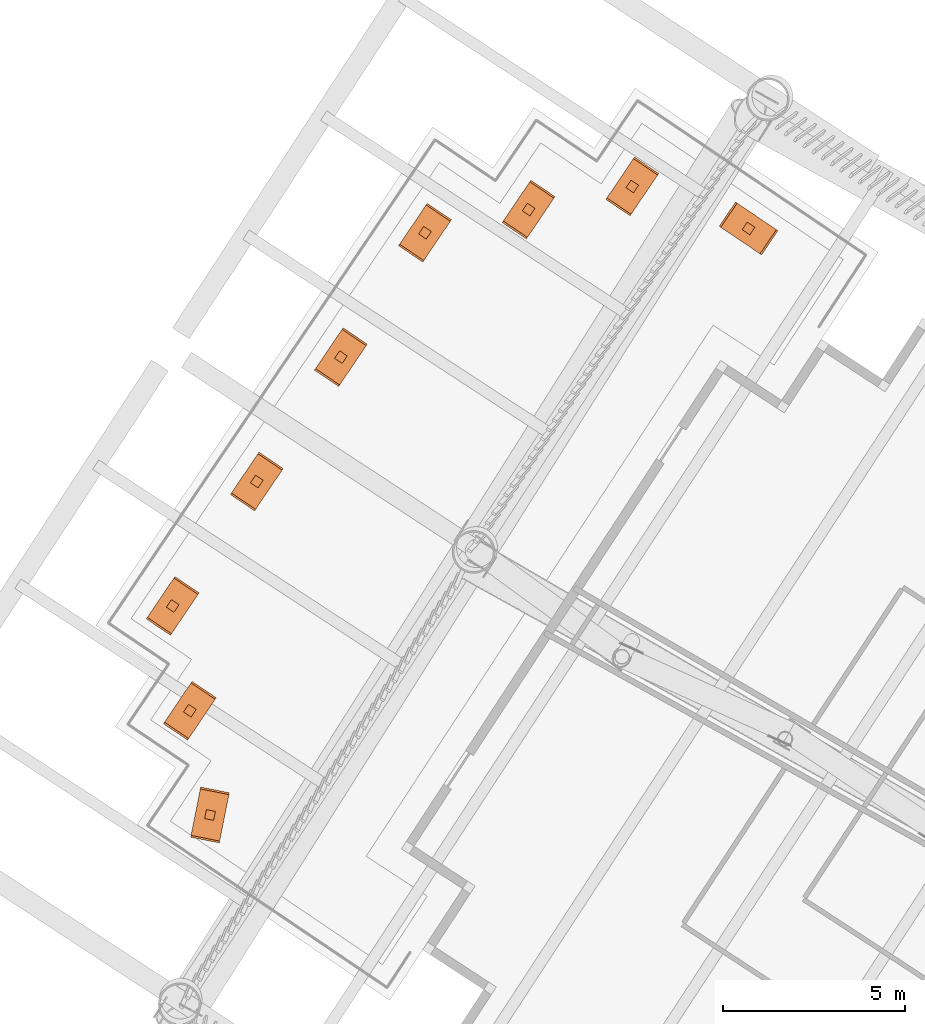
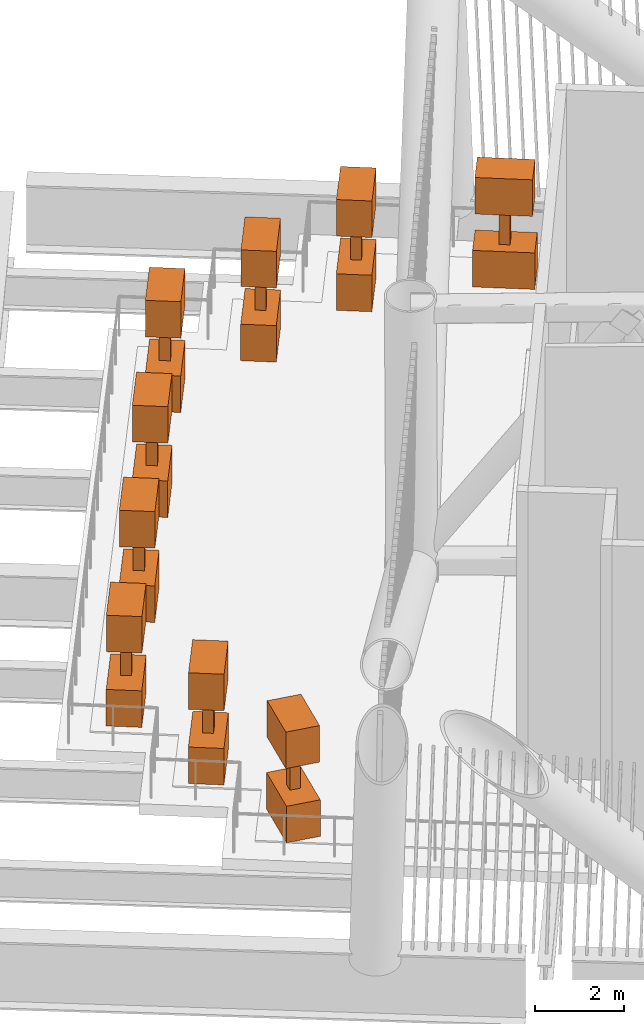
# One storey, part 63 of 63: 27 proxies.
"""IFC4 building model written with IfcOpenShell, lengths in metres."""

from ifc_helpers import new_model, si_unit, direction, frame, origin, origin_2d, place, context, subcontext, project, spatial, rectangle, extrude, material, type_object, element, save


model = new_model("IFC4")

# Units and contexts
model_context = context("Model", 3, precision=1e-05, world=origin(), true_north=direction((0.0, 1.0)))
body_context = subcontext(model_context, "Body", "Model", "MODEL_VIEW")
ifc_project = project(units=[si_unit("LENGTHUNIT", "METRE"), si_unit("AREAUNIT", "SQUARE_METRE"), si_unit("VOLUMEUNIT", "CUBIC_METRE"), si_unit("PLANEANGLEUNIT", "RADIAN"), si_unit("MASSUNIT", "GRAM", prefix="KILO")], contexts=[model_context])

# Site, building, storey
site_placement = place(None, origin())
site = spatial("IfcSite", under=ifc_project, at=site_placement, CompositionType="ELEMENT")
building_placement = place(site_placement, origin())
building = spatial("IfcBuilding", under=site, at=building_placement, Name="Tarsis Ring Headquarters", CompositionType="ELEMENT")
storey_placement = place(building_placement, frame((0.0, 0.0, 139.60009765625)))
storey = spatial("IfcBuildingStorey", under=building, at=storey_placement, Name="L32", CompositionType="ELEMENT", Elevation=139.60009765625)

# Proxies
ifc_material_1 = material(Name="Tree canopy foliage")
building_element_proxy_type_1 = type_object("IfcBuildingElementProxyType", Name="Tree canopy", PredefinedType="USERDEFINED", material=ifc_material_1)
for number, where, z_axis, x_axis, name in (
    (1, (-43.6669921875, 18.969482421875, 2.039794921875), (0.0, 0.0, 1.0), (0.560060762816, 0.828451532652, 0.0), "Tree canopy L32-T1.1"),
    (2, (-44.137451171875, 21.844482421875, 2.039794921875), (0.0, 0.0, 1.0), (0.560060762816, 0.828451532652, 0.0), "Tree canopy L32-T1.2"),
    (3, (-41.8310546875, 25.25634765625, 2.039794921875), (0.0, 0.0, 1.0), (0.560060762816, 0.828451532652, 0.0), "Tree canopy L32-T1.3"),
    (4, (-39.5244140625, 28.668212890625, 2.039794921875), (0.0, 0.0, 1.0), (0.560060762816, 0.828451532652, 0.0), "Tree canopy L32-T1.4"),
    (5, (-37.218017578125, 32.080078125, 2.039794921875), (0.0, 0.0, 1.0), (0.560060762816, 0.828451532652, 0.0), "Tree canopy L32-T1.5"),
    (6, (-34.374755859375, 32.71484375, 2.039794921875), (0.0, 0.0, 1.0), (0.560060762816, 0.828451532652, 0.0), "Tree canopy L32-T1.6"),
    (7, (-31.531494140625, 33.349609375, 2.039794921875), (0.0, 0.0, 1.0), (0.560060762816, 0.828451532652, 0.0), "Tree canopy L32-T1.7"),
    (8, (-28.342529296875, 32.197021484375, 2.039794921875), (0.0, 0.0, 1.0), (0.828451532652, -0.560060762816, 0.0), "Tree canopy L32-T1.8"),
    (9, (-43.1142578125, 16.1103515625, 2.039794921875), (0.0, 0.0, 1.0), (0.195569891785, 0.980689766148, 0.0), "Tree canopy L32-T1.16"),
):
    element("IfcBuildingElementProxy", number, at=place(storey_placement, frame(where, z_axis=z_axis, x_axis=x_axis)), inside=storey, type_object=building_element_proxy_type_1, Name=name, ObjectType="Tree canopy", PredefinedType="USERDEFINED", context=body_context, shape_type="SweptSolid", body=[
        extrude(rectangle(XDim=1.300048828125, YDim=0.800048828125, at=origin_2d()), origin(), (0.0, 0.0, 1.0), 1.0),
    ])
ifc_material_2 = material(Name="Planter soil mix and tree")
building_element_proxy_type_2 = type_object("IfcBuildingElementProxyType", Name="Tree planter", PredefinedType="USERDEFINED", material=ifc_material_2)
for number, where, z_axis, x_axis, name in (
    (10, (-43.6669921875, 18.969482421875, 0.039794921875), (0.0, 0.0, 1.0), (0.560060762816, 0.828451532652, 0.0), "Tree planter L32-T1.1"),
    (11, (-44.137451171875, 21.844482421875, 0.039794921875), (0.0, 0.0, 1.0), (0.560060762816, 0.828451532652, 0.0), "Tree planter L32-T1.2"),
    (12, (-41.8310546875, 25.25634765625, 0.039794921875), (0.0, 0.0, 1.0), (0.560060762816, 0.828451532652, 0.0), "Tree planter L32-T1.3"),
    (13, (-39.5244140625, 28.668212890625, 0.039794921875), (0.0, 0.0, 1.0), (0.560060762816, 0.828451532652, 0.0), "Tree planter L32-T1.4"),
    (14, (-37.218017578125, 32.080078125, 0.039794921875), (0.0, 0.0, 1.0), (0.560060762816, 0.828451532652, 0.0), "Tree planter L32-T1.5"),
    (15, (-34.374755859375, 32.71484375, 0.039794921875), (0.0, 0.0, 1.0), (0.560060762816, 0.828451532652, 0.0), "Tree planter L32-T1.6"),
    (16, (-31.531494140625, 33.349609375, 0.039794921875), (0.0, 0.0, 1.0), (0.560060762816, 0.828451532652, 0.0), "Tree planter L32-T1.7"),
    (17, (-28.342529296875, 32.197021484375, 0.039794921875), (0.0, 0.0, 1.0), (0.828451532652, -0.560060762816, 0.0), "Tree planter L32-T1.8"),
    (18, (-43.1142578125, 16.1103515625, 0.039794921875), (0.0, 0.0, 1.0), (0.195569891785, 0.980689766148, 0.0), "Tree planter L32-T1.16"),
):
    element("IfcBuildingElementProxy", number, at=place(storey_placement, frame(where, z_axis=z_axis, x_axis=x_axis)), inside=storey, type_object=building_element_proxy_type_2, Name=name, ObjectType="Planter", PredefinedType="USERDEFINED", context=body_context, shape_type="SweptSolid", body=[
        extrude(rectangle(XDim=1.39990234375, YDim=0.800048828125, at=origin_2d()), origin(), (0.0, 0.0, 1.0), 1.0),
    ])
ifc_material_3 = material(Name="Tree trunk timber", Category="wood")
building_element_proxy_type_3 = type_object("IfcBuildingElementProxyType", Name="Tree trunk", PredefinedType="USERDEFINED", material=ifc_material_3)
for number, where, z_axis, x_axis, name in (
    (19, (-43.6669921875, 18.969482421875, 1.039794921875), (0.0, 0.0, 1.0), (0.560060762816, 0.828451532652, 0.0), "Tree trunk L32-T1.1"),
    (20, (-44.137451171875, 21.844482421875, 1.039794921875), (0.0, 0.0, 1.0), (0.560060762816, 0.828451532652, 0.0), "Tree trunk L32-T1.2"),
    (21, (-41.8310546875, 25.25634765625, 1.039794921875), (0.0, 0.0, 1.0), (0.560060762816, 0.828451532652, 0.0), "Tree trunk L32-T1.3"),
    (22, (-39.5244140625, 28.668212890625, 1.039794921875), (0.0, 0.0, 1.0), (0.560060762816, 0.828451532652, 0.0), "Tree trunk L32-T1.4"),
    (23, (-37.218017578125, 32.080078125, 1.039794921875), (0.0, 0.0, 1.0), (0.560060762816, 0.828451532652, 0.0), "Tree trunk L32-T1.5"),
    (24, (-34.374755859375, 32.71484375, 1.039794921875), (0.0, 0.0, 1.0), (0.560060762816, 0.828451532652, 0.0), "Tree trunk L32-T1.6"),
    (25, (-31.531494140625, 33.349609375, 1.039794921875), (0.0, 0.0, 1.0), (0.560060762816, 0.828451532652, 0.0), "Tree trunk L32-T1.7"),
    (26, (-28.342529296875, 32.197021484375, 1.039794921875), (0.0, 0.0, 1.0), (0.828451532652, -0.560060762816, 0.0), "Tree trunk L32-T1.8"),
    (27, (-43.1142578125, 16.1103515625, 1.039794921875), (0.0, 0.0, 1.0), (0.195569891785, 0.980689766148, 0.0), "Tree trunk L32-T1.16"),
):
    element("IfcBuildingElementProxy", number, at=place(storey_placement, frame(where, z_axis=z_axis, x_axis=x_axis)), inside=storey, type_object=building_element_proxy_type_3, Name=name, ObjectType="Tree trunk", PredefinedType="USERDEFINED", context=body_context, shape_type="SweptSolid", body=[
        extrude(rectangle(XDim=0.25, YDim=0.25, at=origin_2d()), origin(), (0.0, 0.0, 1.0), 1.0),
    ])

save(model, "model.ifc")
